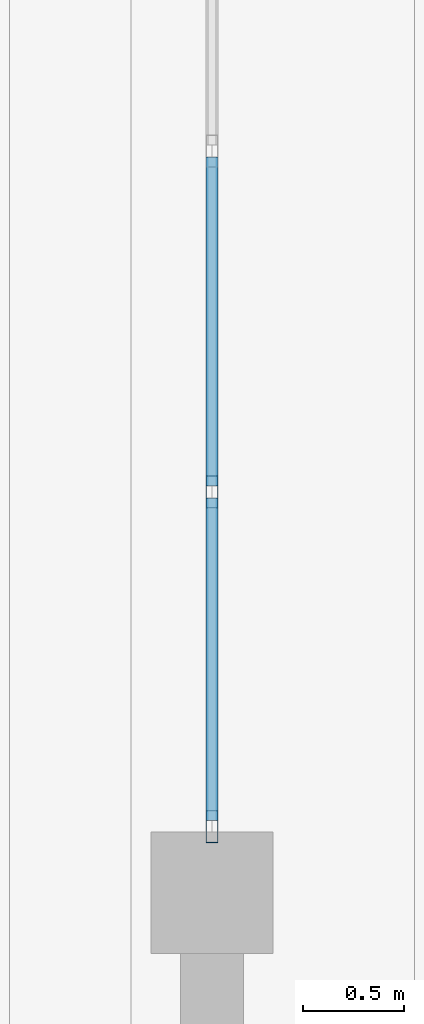
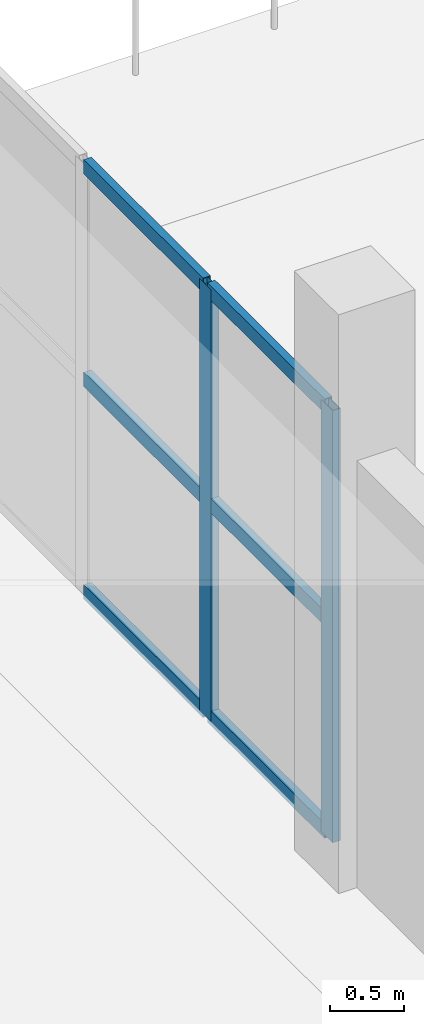
# One storey, part 30 of 89: 8 members, 1 element without a shape of its own.
"""IFC4 building model written with IfcOpenShell, lengths in metres."""

import ifcopenshell
import ifcopenshell.guid

model = None  # the IFC model being written
_history = None  # IfcOwnerHistory: only IFC2X3 demands one
_inside = {}  # id of a spatial element -> (the spatial element, [elements in it])
_under = {}  # id of a project, library or spatial element -> (it, [spatial elements below it])
_declared = {}  # id of a project -> (the project, [libraries it declares])
_typed = {}  # id of a type object -> (the type object, [elements of that type])
_made_of = {}  # id of a material, layer set ... -> (it, [elements and type objects made of it])


def new_model(schema):
    """Start an empty IFC model of exactly this schema.

    Asked for "IFC4X3", IfcOpenShell would pick the latest addendum, in which some entities
    have other attributes; the version numbers below select the first issue.
    IFC2X3 requires an IfcOwnerHistory on every rooted entity: one is made here for all.
    """
    global model, _history
    if schema == "IFC4X3":
        model = ifcopenshell.file(schema_version=(4, 3, 0, 0))
    else:
        model = ifcopenshell.file(schema=schema)
    _inside.clear()
    _under.clear()
    _declared.clear()
    _typed.clear()
    _made_of.clear()
    _history = None
    if model.schema == "IFC2X3":
        org = make("IfcOrganization", Name="unknown")
        user = make(
            "IfcPersonAndOrganization",
            ThePerson=make("IfcPerson", FamilyName="unknown"),
            TheOrganization=org,
        )
        app = make(
            "IfcApplication",
            ApplicationDeveloper=org,
            Version="unknown",
            ApplicationFullName="unknown",
            ApplicationIdentifier="unknown",
        )
        _history = make(
            "IfcOwnerHistory",
            OwningUser=user,
            OwningApplication=app,
            ChangeAction="ADDED",
            CreationDate=0,
        )
    return model


def make(cls, **values):
    """One entity of the class cls with the attributes given. An attribute that is None is left unset."""
    return model.create_entity(
        cls, **{name: value for name, value in values.items() if value is not None}
    )


def rooted(cls, **values):
    """An entity with a GlobalId (a new one), such as an element, a storey or a relation."""
    return make(cls, GlobalId=ifcopenshell.guid.new(), OwnerHistory=_history, **values)


def si_unit(unit_type, name, prefix=None):
    """IfcSIUnit, for example si_unit("LENGTHUNIT", "METRE", prefix="MILLI")."""
    return make("IfcSIUnit", UnitType=unit_type, Prefix=prefix, Name=name)


def assignment(units):
    """IfcUnitAssignment: the units of a project."""
    return None if units is None else make("IfcUnitAssignment", Units=units)


def point(xyz):
    """IfcCartesianPoint."""
    return None if xyz is None else make("IfcCartesianPoint", Coordinates=xyz)


def direction(xyz):
    """IfcDirection."""
    return None if xyz is None else make("IfcDirection", DirectionRatios=xyz)


def frame(location, z_axis=None, x_axis=None):
    """IfcAxis2Placement3D, a coordinate frame: its origin and axes. An axis left out is left unset."""
    return make(
        "IfcAxis2Placement3D",
        Location=point(location),
        Axis=direction(z_axis),
        RefDirection=direction(x_axis),
    )


def frame_2d(location, x_axis=None):
    """IfcAxis2Placement2D, a coordinate frame in the plane: its origin and x axis."""
    return make(
        "IfcAxis2Placement2D", Location=point(location), RefDirection=direction(x_axis)
    )


def origin():
    """The frame at (0, 0, 0) with its axes left unset."""
    return frame((0.0, 0.0, 0.0))


def origin_2d():
    """The frame at (0, 0) in the plane with its x axis left unset."""
    return frame_2d((0.0, 0.0))


def place(relative_to, where):
    """IfcLocalPlacement: puts the frame where relative to a parent placement (None: the world)."""
    return make(
        "IfcLocalPlacement", PlacementRelTo=relative_to, RelativePlacement=where
    )


def context(
    kind, dimensions, precision=None, world=None, true_north=None, identifier=None
):
    """IfcGeometricRepresentationContext, for example the 3D "Model" context."""
    return make(
        "IfcGeometricRepresentationContext",
        ContextIdentifier=identifier,
        ContextType=kind,
        CoordinateSpaceDimension=dimensions,
        Precision=precision,
        WorldCoordinateSystem=world,
        TrueNorth=true_north,
    )


def subcontext(parent, identifier, kind, view, scale=None):
    """IfcGeometricRepresentationSubContext, for example "Body" below "Model"."""
    return make(
        "IfcGeometricRepresentationSubContext",
        ContextIdentifier=identifier,
        ContextType=kind,
        ParentContext=parent,
        TargetScale=scale,
        TargetView=view,
    )


def project(units=None, contexts=None):
    """IfcProject with its units and contexts."""
    return rooted(
        "IfcProject",
        Name="project",
        RepresentationContexts=contexts,
        UnitsInContext=assignment(units),
    )


def spatial(cls, under=None, at=None, **own):
    """A site, building, storey or space (cls), placed at a placement, below another one or the project."""
    s = rooted(cls, ObjectPlacement=at, **own)
    if under is not None:
        _under.setdefault(under.id(), (under, []))[1].append(s)
    return s


def profile(cls, at=None, kind="AREA", **sizes):
    """A parametric profile (cls). Its sizes go by their IFC names, for example OverallWidth=200.0."""
    return make(cls, ProfileType=kind, Position=at, **sizes)


def hollow_rectangle(**sizes):
    """IfcRectangleHollowProfileDef."""
    return profile("IfcRectangleHollowProfileDef", **sizes)


def extrude(swept, where, along, depth):
    """IfcExtrudedAreaSolid: the profile swept, set in the frame where, extruded along a direction by depth."""
    return make(
        "IfcExtrudedAreaSolid",
        SweptArea=swept,
        Position=where,
        ExtrudedDirection=direction(along),
        Depth=depth,
    )


def shape(context_of_items, identifier, shape_type, items):
    """IfcShapeRepresentation: the items that make up one representation, for example the "Body"."""
    return make(
        "IfcShapeRepresentation",
        ContextOfItems=context_of_items,
        RepresentationIdentifier=identifier,
        RepresentationType=shape_type,
        Items=items,
    )


def material(Name=None, Category=None):
    """IfcMaterial."""
    return make("IfcMaterial", Name=Name, Category=Category)


def layer(
    of_material, thickness, ventilated=None, Name=None, Category=None, Priority=None
):
    """IfcMaterialLayer: one layer of a wall or slab, of a material (None: an air gap)."""
    return make(
        "IfcMaterialLayer",
        Material=of_material,
        LayerThickness=thickness,
        IsVentilated=ventilated,
        Name=Name,
        Category=Category,
        Priority=Priority,
    )


def layer_set(layers, Name=None):
    """IfcMaterialLayerSet."""
    return make("IfcMaterialLayerSet", MaterialLayers=layers, LayerSetName=Name)


def material_profile(
    of_material, cross_section, Name=None, Category=None, Priority=None
):
    """IfcMaterialProfile: a cross section and its material."""
    return make(
        "IfcMaterialProfile",
        Name=Name,
        Material=of_material,
        Profile=cross_section,
        Priority=Priority,
        Category=Category,
    )


def profile_set(profiles, Name=None, composite=None):
    """IfcMaterialProfileSet."""
    return make(
        "IfcMaterialProfileSet",
        Name=Name,
        MaterialProfiles=profiles,
        CompositeProfile=composite,
    )


def made_of(thing, what):
    """Note that an element or type object is made of a material, layer set ...; save() writes the relation."""
    if what is not None:
        _made_of.setdefault(what.id(), (what, []))[1].append(thing)
    return thing


def type_object(cls, material=None, **own):
    """A type object (cls), such as IfcWallType, which elements share."""
    return made_of(rooted(cls, **own), material)


def element(
    cls,
    number,
    at=None,
    inside=None,
    cuts=None,
    type_object=None,
    material=None,
    context=None,
    identifier="Body",
    shape_type=None,
    held_by="IfcProductDefinitionShape",
    body=None,
    shapes=None,
    **own,
):
    """One element of the class cls, such as IfcWall. Its Tag is "e" and its number.

    at: its placement. inside: the storey or other place that contains it. cuts: it is an
    opening in that element (IfcRelVoidsElement). A single representation is given by context,
    identifier, shape_type and body (its items); several are given by shapes. held_by: the class
    of the entity that holds the representations. save() writes the other relations.
    """
    e = rooted(cls, Tag="e%d" % number, ObjectPlacement=at, **own)
    if body is not None:
        shapes = [shape(context, identifier, shape_type, body)]
    if shapes is not None:
        e.Representation = make(held_by, Representations=shapes)
    if inside is not None:
        _inside.setdefault(inside.id(), (inside, []))[1].append(e)
    if cuts is not None:
        rooted(
            "IfcRelVoidsElement", RelatingBuildingElement=cuts, RelatedOpeningElement=e
        )
    if type_object is not None:
        _typed.setdefault(type_object.id(), (type_object, []))[1].append(e)
    return made_of(e, material)


def aggregate(whole, parts):
    """IfcRelAggregates: a whole, such as a stair, and the parts it consists of."""
    return rooted("IfcRelAggregates", RelatingObject=whole, RelatedObjects=parts)


def save(model, path):
    """Write the relations noted so far, then the file.

    IfcRelAggregates (storeys below a building ...), IfcRelContainedInSpatialStructure (elements
    in a storey), IfcRelDefinesByType, IfcRelAssociatesMaterial and IfcRelDeclares: one each for
    every whole, place, type object, material and project.
    """
    for whole, parts in _under.values():
        aggregate(whole, parts)
    for where, things in _inside.values():
        rooted(
            "IfcRelContainedInSpatialStructure",
            RelatedElements=things,
            RelatingStructure=where,
        )
    for kind, things in _typed.values():
        rooted("IfcRelDefinesByType", RelatedObjects=things, RelatingType=kind)
    for what, things in _made_of.values():
        rooted("IfcRelAssociatesMaterial", RelatedObjects=things, RelatingMaterial=what)
    for by, libraries in _declared.values():
        rooted("IfcRelDeclares", RelatingContext=by, RelatedDefinitions=libraries)
    model.write(path)


model = new_model("IFC4")

# Units and contexts
model_context = context("Model", 3, precision=1e-05, world=origin(), true_north=direction((0.0, 1.0)))
body_context = subcontext(model_context, "Body", "Model", "MODEL_VIEW")
ifc_project = project(units=[si_unit("LENGTHUNIT", "METRE"), si_unit("AREAUNIT", "SQUARE_METRE"), si_unit("VOLUMEUNIT", "CUBIC_METRE"), si_unit("PLANEANGLEUNIT", "RADIAN"), si_unit("MASSUNIT", "GRAM", prefix="KILO")], contexts=[model_context])

# Site, building, storey
site_placement = place(None, origin())
site = spatial("IfcSite", under=ifc_project, at=site_placement, CompositionType="ELEMENT")
building_placement = place(site_placement, origin())
building = spatial("IfcBuilding", under=site, at=building_placement, Name="Dornveld Trade and Exhibition Forum", CompositionType="ELEMENT")
storey_placement = place(building_placement, frame((0.0, 0.0, 12.0)))
storey = spatial("IfcBuildingStorey", under=building, at=storey_placement, Name="L02", CompositionType="ELEMENT", Elevation=12.0)

# Curtain wall, members
ifc_material_1 = material(Name="Dark-bronze anodised aluminium and low-E glass", Category="aluminium")
ifc_layer = layer(ifc_material_1, 0.1630859375)
ifc_layer_set = layer_set([ifc_layer], Name="Dark-bronze anodised aluminium and low-E glass")
curtain_wall_type = type_object("IfcCurtainWallType", Name="CW-SYS-07", PredefinedType="USERDEFINED", material=ifc_layer_set)
curtain_wall_placement = place(storey_placement, origin())
curtain_wall = element("IfcCurtainWall", 1, at=curtain_wall_placement, inside=storey, type_object=curtain_wall_type, Name="L02 unitised curtain wall 79", ObjectType="UNITISED_CURTAIN_WALL", PredefinedType="USERDEFINED")
ifc_material_2 = material(Name="Dark-bronze anodised aluminium", Category="aluminium")
ifc_material_profile_1 = material_profile(ifc_material_2, hollow_rectangle(XDim=0.06005859375, YDim=0.159912109375, WallThickness=0.00390625, at=origin_2d()), Name="RHS 160x60x4")
ifc_profile_set_1 = profile_set([ifc_material_profile_1], Name="Dark-bronze anodised aluminium")
member_type_1 = type_object("IfcMemberType", Name="CW-MUL-160", PredefinedType="MULLION", material=ifc_profile_set_1)
member_1_placement = place(storey_placement, frame((225.0, 45.325927734375, -0.00390625), z_axis=(0.0, 0.0, 1.0), x_axis=(-1.0, 0.0, 0.0)))
member_1 = element("IfcMember", 2, at=member_1_placement, type_object=member_type_1, Name="CW-07 mullion 1", PredefinedType="MULLION", context=body_context, shape_type="SweptSolid", body=[
    extrude(hollow_rectangle(XDim=0.06005859375, YDim=0.159912109375, WallThickness=0.00390625, at=origin_2d()), origin(), (0.0, 0.0, 1.0), 3.583984375),
])
member_2_placement = place(storey_placement, frame((225.0, 46.9775390625, -0.00390625), z_axis=(0.0, 0.0, 1.0), x_axis=(-1.0, 0.0, 0.0)))
member_2 = element("IfcMember", 3, at=member_2_placement, type_object=member_type_1, Name="CW-07 mullion 2", PredefinedType="MULLION", context=body_context, shape_type="SweptSolid", body=[
    extrude(hollow_rectangle(XDim=0.06005859375, YDim=0.159912109375, WallThickness=0.00390625, at=origin_2d()), origin(), (0.0, 0.0, 1.0), 3.583984375),
])
ifc_material_3 = material(Name="Dark-bronze anodised aluminium", Category="aluminium")
ifc_material_profile_2 = material_profile(ifc_material_3, hollow_rectangle(XDim=0.06005859375, YDim=0.1201171875, WallThickness=0.00390625, at=origin_2d()), Name="RHS 120x60x4")
ifc_profile_set_2 = profile_set([ifc_material_profile_2], Name="Dark-bronze anodised aluminium")
member_type_2 = type_object("IfcMemberType", Name="CW-TRN-120", PredefinedType="USERDEFINED", material=ifc_profile_set_2)
member_3_placement = place(storey_placement, frame((225.0, 45.35595703125, 0.02587890625), z_axis=(0.0, 1.0, 0.0), x_axis=(-1.0, 0.0, 0.0)))
member_3 = element("IfcMember", 4, at=member_3_placement, type_object=member_type_2, Name="CW-07 transom 1.1", ObjectType="TRANSOM", PredefinedType="USERDEFINED", context=body_context, shape_type="SweptSolid", body=[
    extrude(hollow_rectangle(XDim=0.06005859375, YDim=0.1201171875, WallThickness=0.00390625, at=origin_2d()), origin(), (0.0, 0.0, 1.0), 1.591552734375),
])
member_4_placement = place(storey_placement, frame((225.0, 45.35595703125, 1.7880859375), z_axis=(0.0, 1.0, 0.0), x_axis=(-1.0, 0.0, 0.0)))
member_4 = element("IfcMember", 5, at=member_4_placement, type_object=member_type_2, Name="CW-07 transom 1.2", ObjectType="TRANSOM", PredefinedType="USERDEFINED", context=body_context, shape_type="SweptSolid", body=[
    extrude(hollow_rectangle(XDim=0.06005859375, YDim=0.1201171875, WallThickness=0.00390625, at=origin_2d()), origin(), (0.0, 0.0, 1.0), 1.591552734375),
])
member_5_placement = place(storey_placement, frame((225.0, 45.35595703125, 3.550048828125), z_axis=(0.0, 1.0, 0.0), x_axis=(-1.0, 0.0, 0.0)))
member_5 = element("IfcMember", 6, at=member_5_placement, type_object=member_type_2, Name="CW-07 transom 1.3", ObjectType="TRANSOM", PredefinedType="USERDEFINED", context=body_context, shape_type="SweptSolid", body=[
    extrude(hollow_rectangle(XDim=0.06005859375, YDim=0.1201171875, WallThickness=0.00390625, at=origin_2d()), origin(), (0.0, 0.0, 1.0), 1.591552734375),
])
member_6_placement = place(storey_placement, frame((225.0, 47.007568359375, 0.02587890625), z_axis=(0.0, 1.0, 0.0), x_axis=(-1.0, 0.0, 0.0)))
member_6 = element("IfcMember", 7, at=member_6_placement, type_object=member_type_2, Name="CW-07 transom 2.1", ObjectType="TRANSOM", PredefinedType="USERDEFINED", context=body_context, shape_type="SweptSolid", body=[
    extrude(hollow_rectangle(XDim=0.06005859375, YDim=0.1201171875, WallThickness=0.00390625, at=origin_2d()), origin(), (0.0, 0.0, 1.0), 1.62158203125),
])
member_7_placement = place(storey_placement, frame((225.0, 47.007568359375, 1.7880859375), z_axis=(0.0, 1.0, 0.0), x_axis=(-1.0, 0.0, 0.0)))
member_7 = element("IfcMember", 8, at=member_7_placement, type_object=member_type_2, Name="CW-07 transom 2.2", ObjectType="TRANSOM", PredefinedType="USERDEFINED", context=body_context, shape_type="SweptSolid", body=[
    extrude(hollow_rectangle(XDim=0.06005859375, YDim=0.1201171875, WallThickness=0.00390625, at=origin_2d()), origin(), (0.0, 0.0, 1.0), 1.62158203125),
])
member_8_placement = place(storey_placement, frame((225.0, 47.007568359375, 3.550048828125), z_axis=(0.0, 1.0, 0.0), x_axis=(-1.0, 0.0, 0.0)))
member_8 = element("IfcMember", 9, at=member_8_placement, type_object=member_type_2, Name="CW-07 transom 2.3", ObjectType="TRANSOM", PredefinedType="USERDEFINED", context=body_context, shape_type="SweptSolid", body=[
    extrude(hollow_rectangle(XDim=0.06005859375, YDim=0.1201171875, WallThickness=0.00390625, at=origin_2d()), origin(), (0.0, 0.0, 1.0), 1.62158203125),
])
aggregate(curtain_wall, [member_1, member_2, member_3, member_4, member_5, member_6, member_7, member_8])

save(model, "model.ifc")
